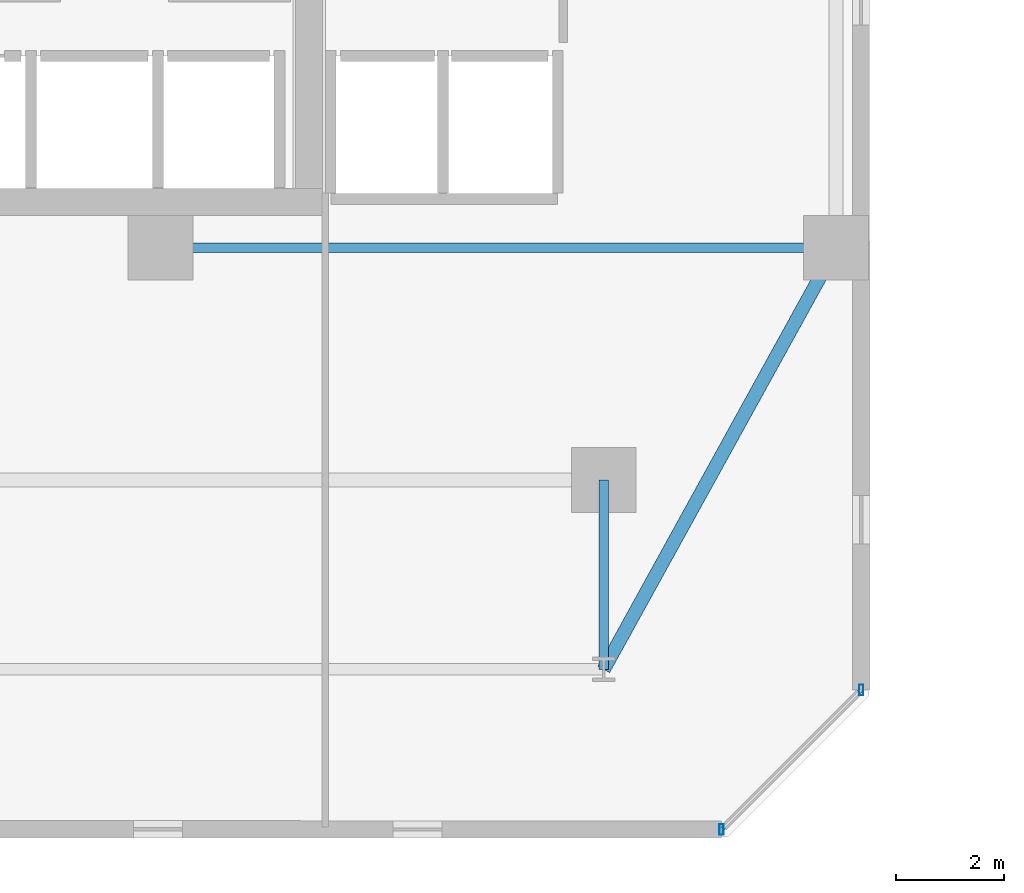
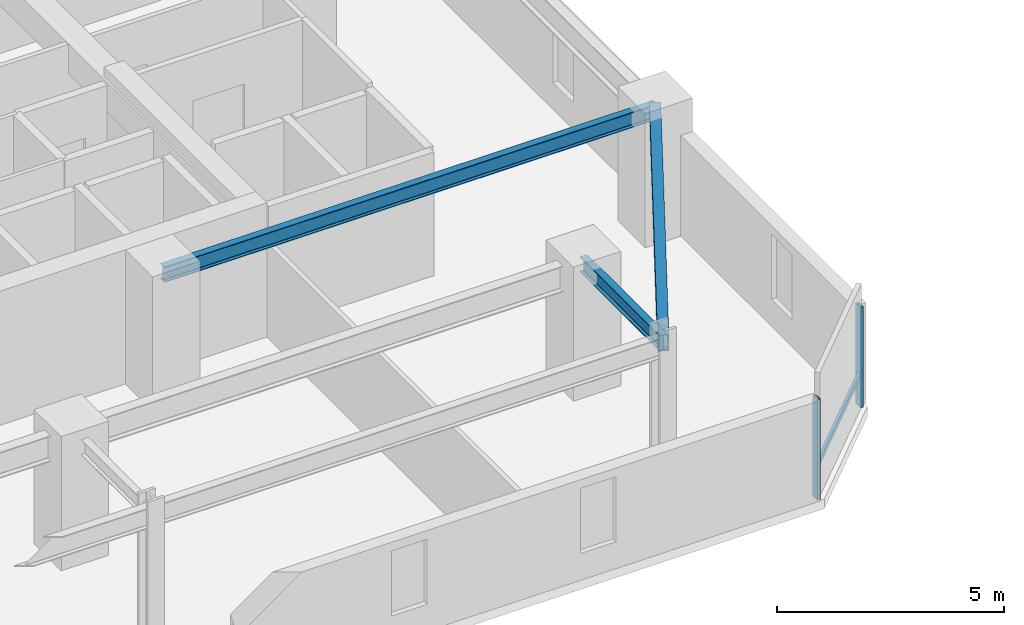
# One storey, part 5 of 31: 3 beams, 3 members, 1 element without a shape of its own.
"""IFC4 building model written with IfcOpenShell, lengths in metres."""

from ifc_helpers import new_model, si_unit, direction, frame, origin, origin_2d, place, context, subcontext, project, spatial, hollow_rectangle, i_section, extrude, material, material_profile, profile_set, type_object, element, aggregate, save


model = new_model("IFC4")

# Units and contexts
model_context = context("Model", 3, precision=1e-05, world=origin(), true_north=direction((0.0, 1.0)))
body_context = subcontext(model_context, "Body", "Model", "MODEL_VIEW")
ifc_project = project(units=[si_unit("LENGTHUNIT", "METRE"), si_unit("AREAUNIT", "SQUARE_METRE"), si_unit("VOLUMEUNIT", "CUBIC_METRE"), si_unit("PLANEANGLEUNIT", "RADIAN"), si_unit("MASSUNIT", "GRAM", prefix="KILO")], contexts=[model_context])

# Site, building, storey
site_placement = place(None, origin())
site = spatial("IfcSite", under=ifc_project, at=site_placement, CompositionType="ELEMENT")
building_placement = place(site_placement, origin())
building = spatial("IfcBuilding", under=site, at=building_placement, Name="Thornwick Lancets Civic Towers", CompositionType="ELEMENT")
storey_placement = place(building_placement, frame((0.0, 0.0, 119.699951171875)))
storey = spatial("IfcBuildingStorey", under=building, at=storey_placement, Name="L31", CompositionType="ELEMENT", Elevation=119.699951171875)

# Beams
ifc_material_1 = material(Name="Steel S355JR", Category="steel")
ifc_material_profile_1 = material_profile(ifc_material_1, i_section(OverallWidth=0.179443359375, OverallDepth=0.412841796875, WebThickness=0.009521484375, FlangeThickness=0.01611328125, FilletRadius=0.01025390625, at=origin_2d()), Name="UKB 406x178x74")
ifc_profile_set_1 = profile_set([ifc_material_profile_1], Name="Steel S355JR")
beam_type_1 = type_object("IfcBeamType", Name="BM_JOIST_406_74", PredefinedType="JOIST", material=ifc_profile_set_1)
beam_1_placement = place(storey_placement, frame((38.5, 9.699951171875, 3.133544921875), z_axis=(0.0, -1.0, 0.0), x_axis=(1.0, 0.0, 0.0)))
element("IfcBeam", 1, at=beam_1_placement, inside=storey, type_object=beam_type_1, Name="BM-RAD-L31-A03", PredefinedType="JOIST", context=body_context, shape_type="SweptSolid", body=[
    extrude(i_section(OverallWidth=0.179443359375, OverallDepth=0.412841796875, WebThickness=0.009521484375, FlangeThickness=0.01611328125, FilletRadius=0.01025390625, at=origin_2d()), origin(), (0.0, 0.0, 1.0), 3.5),
])
beam_2_placement = place(storey_placement, frame((30.300048828125, 14.0, 3.133544921875), z_axis=(1.0, 0.0, 0.0), x_axis=(0.0, 1.0, 0.0)))
element("IfcBeam", 2, at=beam_2_placement, inside=storey, type_object=beam_type_1, Name="BM-RADIN-L31-A04", PredefinedType="JOIST", context=body_context, shape_type="SweptSolid", body=[
    extrude(i_section(OverallWidth=0.179443359375, OverallDepth=0.412841796875, WebThickness=0.009521484375, FlangeThickness=0.01611328125, FilletRadius=0.01025390625, at=origin_2d()), origin(), (0.0, 0.0, 1.0), 12.5),
])
ifc_material_profile_2 = material_profile(ifc_material_1, hollow_rectangle(XDim=0.25, YDim=0.449951171875, WallThickness=0.01611328125, at=origin_2d()), Name="RHS 450x250x16")
ifc_profile_set_2 = profile_set([ifc_material_profile_2], Name="Steel S355JR")
beam_type_2 = type_object("IfcBeamType", Name="BM_RING_RHS450", PredefinedType="BEAM", material=ifc_profile_set_2)
beam_3_placement = place(storey_placement, frame((38.5, 6.199951171875, 3.114990234375), z_axis=(0.482782395749, 0.875740348708, 0.0), x_axis=(-0.875740348708, 0.482782395749, 0.0)))
element("IfcBeam", 3, at=beam_3_placement, inside=storey, type_object=beam_type_2, Name="BM-CHAMF-L31-A-C0", PredefinedType="BEAM", context=body_context, shape_type="SweptSolid", body=[
    extrude(hollow_rectangle(XDim=0.25, YDim=0.449951171875, WallThickness=0.01611328125, at=origin_2d()), origin(), (0.0, 0.0, 1.0), 8.90673828125),
])

# Curtain wall, members
ifc_material_2 = material(Name="Mid-zone chamfered-corner unitised glass curtain wall", Category="glass")
curtain_wall_type = type_object("IfcCurtainWallType", Name="CW_SYS_04", PredefinedType="NOTDEFINED", material=ifc_material_2)
curtain_wall_placement = place(storey_placement, origin())
curtain_wall = element("IfcCurtainWall", 4, at=curtain_wall_placement, inside=storey, type_object=curtain_wall_type, Name="L31 Curtain Wall CW-L31-A-E1", PredefinedType="NOTDEFINED")
ifc_material_3 = material(Name="Thermally broken bronze aluminium S355", Category="steel")
ifc_material_profile_3 = material_profile(ifc_material_3, hollow_rectangle(XDim=0.080078125, YDim=0.199951171875, WallThickness=0.006103515625, at=origin_2d()), Name="RHS 200x80x6")
ifc_profile_set_3 = profile_set([ifc_material_profile_3], Name="Thermally broken bronze aluminium S355")
member_type_1 = type_object("IfcMemberType", Name="CW_MUL_200", PredefinedType="MULLION", material=ifc_profile_set_3)
member_1_placement = place(storey_placement, frame((40.681396484375, 3.2353515625, 0.0), z_axis=(0.0, 0.0, 1.0), x_axis=(1.0, 0.0, 0.0)))
member_1 = element("IfcMember", 5, at=member_1_placement, type_object=member_type_1, Name="CW-L31-A-E1 Mullion 0", PredefinedType="MULLION", context=body_context, shape_type="SweptSolid", body=[
    extrude(hollow_rectangle(XDim=0.080078125, YDim=0.199951171875, WallThickness=0.006103515625, at=origin_2d()), origin(), (0.0, 0.0, 1.0), 2.699951171875),
])
member_2_placement = place(storey_placement, frame((43.2646484375, 5.818603515625, 0.0), z_axis=(0.0, 0.0, 1.0), x_axis=(1.0, 0.0, 0.0)))
member_2 = element("IfcMember", 6, at=member_2_placement, type_object=member_type_1, Name="CW-L31-A-E1 Mullion 1", PredefinedType="MULLION", context=body_context, shape_type="SweptSolid", body=[
    extrude(hollow_rectangle(XDim=0.080078125, YDim=0.199951171875, WallThickness=0.006103515625, at=origin_2d()), origin(), (0.0, 0.0, 1.0), 2.699951171875),
])
ifc_material_profile_4 = material_profile(ifc_material_3, hollow_rectangle(XDim=0.074951171875, YDim=0.14990234375, WallThickness=0.0048828125, at=origin_2d()), Name="RHS 150x75x5")
ifc_profile_set_4 = profile_set([ifc_material_profile_4], Name="Thermally broken bronze aluminium S355")
member_type_2 = type_object("IfcMemberType", Name="CW_TRN_150", PredefinedType="USERDEFINED", material=ifc_profile_set_4)
member_3_placement = place(storey_placement, frame((40.695556640625, 3.24951171875, 0.85009765625), z_axis=(0.707106781187, 0.707106781187, 0.0), x_axis=(-0.707106781187, 0.707106781187, 0.0)))
member_3 = element("IfcMember", 7, at=member_3_placement, type_object=member_type_2, Name="CW-L31-A-E1 Transom 0", ObjectType="TRANSOM", PredefinedType="USERDEFINED", context=body_context, shape_type="SweptSolid", body=[
    extrude(hollow_rectangle(XDim=0.074951171875, YDim=0.14990234375, WallThickness=0.0048828125, at=origin_2d()), origin(), (0.0, 0.0, 1.0), 3.61328125),
])
aggregate(curtain_wall, [member_1, member_2, member_3])

save(model, "model.ifc")
